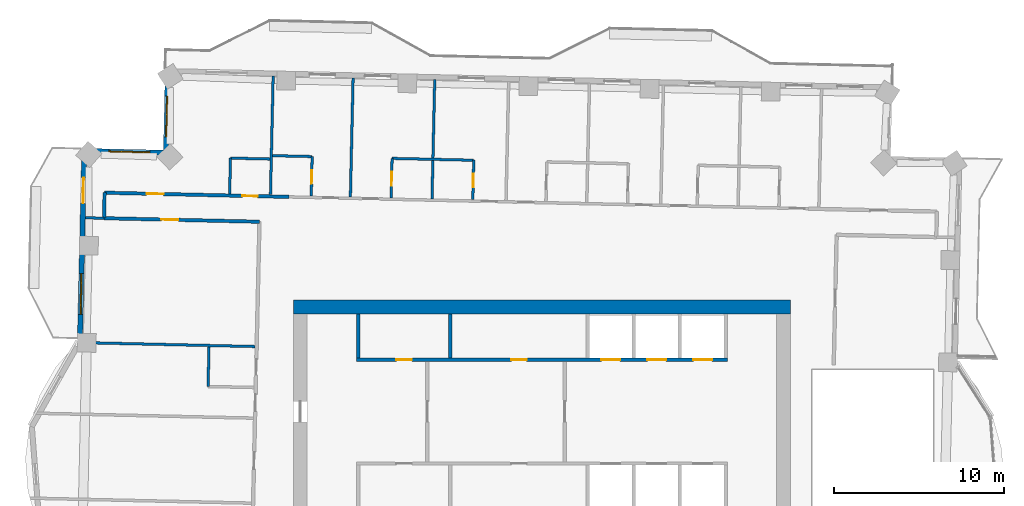
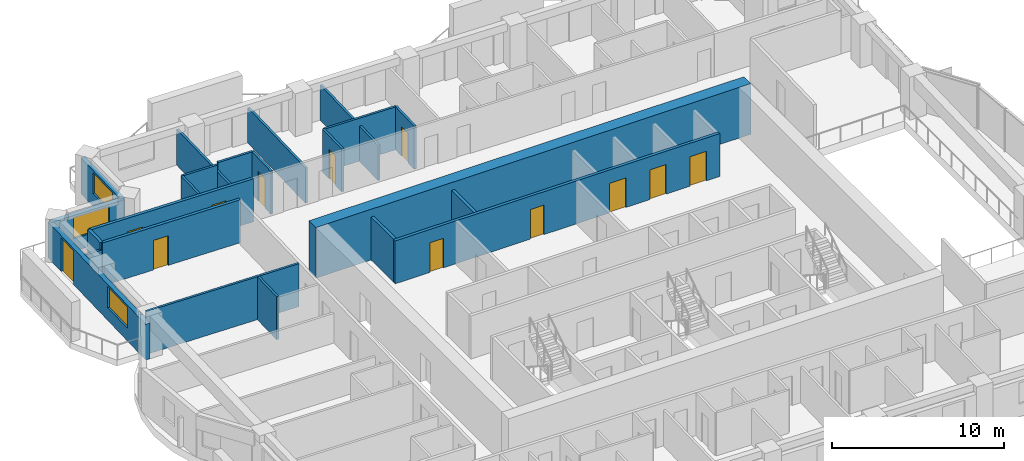
# One storey, part 10 of 16: 23 walls, 12 doors, 3 windows, 15 openings.
"""IFC4 building model written with IfcOpenShell, lengths in metres."""

from ifc_helpers import new_model, si_unit, direction, frame, frame_2d, origin, place, context, subcontext, project, spatial, rectangle, extrude, material, layer, layer_set, type_object, element, fill, save


model = new_model("IFC4")

# Units and contexts
model_context = context("Model", 3, precision=1e-05, world=origin(), true_north=direction((0.0, 1.0)))
body_context = subcontext(model_context, "Body", "Model", "MODEL_VIEW")
ifc_project = project(units=[si_unit("LENGTHUNIT", "METRE"), si_unit("AREAUNIT", "SQUARE_METRE"), si_unit("VOLUMEUNIT", "CUBIC_METRE"), si_unit("PLANEANGLEUNIT", "RADIAN"), si_unit("MASSUNIT", "GRAM", prefix="KILO")], contexts=[model_context])

# Site, building, storey
site_placement = place(None, origin())
site = spatial("IfcSite", under=ifc_project, at=site_placement, CompositionType="ELEMENT")
building_placement = place(site_placement, origin())
building = spatial("IfcBuilding", under=site, at=building_placement, Name="Mangrove Gate Tower", CompositionType="ELEMENT")
storey_placement = place(building_placement, frame((0.0, 0.0, 215.89990234375)))
storey = spatial("IfcBuildingStorey", under=building, at=storey_placement, Name="L55", CompositionType="ELEMENT", Elevation=215.89990234375)

# Walls
ifc_material_1 = material(Name="Concrete C32/40", Category="concrete")
ifc_layer_1 = layer(ifc_material_1, 0.199951171875)
ifc_layer_set_1 = layer_set([ifc_layer_1], Name="Core room wall 200 C32/40")
wall_type_1 = type_object("IfcWallType", Name="Core room wall 200 C32/40", PredefinedType="STANDARD", material=ifc_layer_set_1)
for number, where, z_axis, x_axis, name in (
    (1, (-10.800048828125, 8.199951171875, 0.0), (0.0, 0.0, 1.0), (0.0, 1.0, 0.0), "WALL-L55-CORE-25"),
    (2, (-5.39990234375, 8.199951171875, 0.0), (0.0, 0.0, 1.0), (0.0, 1.0, 0.0), "WALL-L55-CORE-26"),
):
    element("IfcWall", number, at=place(storey_placement, frame(where, z_axis=z_axis, x_axis=x_axis)), inside=storey, type_object=wall_type_1, Name=name, PredefinedType="STANDARD", context=body_context, shape_type="SweptSolid", body=[
        extrude(rectangle(XDim=2.60009765625, YDim=0.199951171875, at=frame_2d((1.300048828125, 0.0))), origin(), (0.0, 0.0, 1.0), 3.050048828125),
    ])

# Wall, openings, doors
ifc_material_2 = material(Name="Concrete C60/75", Category="concrete")
ifc_layer_2 = layer(ifc_material_2, 0.199951171875)
ifc_layer_set_2 = layer_set([ifc_layer_2], Name="Core shaft wall 200 C60/75")
wall_type_2 = type_object("IfcWallType", Name="Core shaft wall 200 C60/75", PredefinedType="SHEAR", material=ifc_layer_set_2)
wall_1_placement = place(storey_placement, frame((-10.89990234375, 8.10009765625, 0.0), z_axis=(0.0, 0.0, 1.0), x_axis=(1.0, 0.0, 0.0)))
wall_1 = element("IfcWall", 3, at=wall_1_placement, inside=storey, type_object=wall_type_2, Name="WALL-L55-CORE-8", PredefinedType="SHEAR", context=body_context, shape_type="SweptSolid", body=[
    extrude(rectangle(XDim=21.7998046875, YDim=0.199951171875, at=frame_2d((10.89990234375, 0.0))), origin(), (0.0, 0.0, 1.0), 3.050048828125),
])
opening_1_placement = place(wall_1_placement, frame((14.39990234375, 0.0, 0.0)))
opening_1 = element("IfcOpeningElement", 4, at=opening_1_placement, cuts=wall_1, Name="Opening LD", PredefinedType="OPENING", context=body_context, shape_type="SweptSolid", body=[
    extrude(rectangle(XDim=1.10009765625, YDim=2.10009765625, at=frame_2d((0.550048828125, 1.050048828125))), frame((0.0, 0.10986328125, 0.0), z_axis=(0.0, -1.0, 0.0), x_axis=(1.0, 0.0, 0.0)), (0.0, 0.0, 1.0), 0.219970703125),
])
opening_2_placement = place(wall_1_placement, frame((17.10009765625, 0.0, 0.0)))
opening_2 = element("IfcOpeningElement", 5, at=opening_2_placement, cuts=wall_1, Name="Opening LD", PredefinedType="OPENING", context=body_context, shape_type="SweptSolid", body=[
    extrude(rectangle(XDim=1.10009765625, YDim=2.10009765625, at=frame_2d((0.550048828125, 1.050048828125))), frame((0.0, 0.10986328125, 0.0), z_axis=(0.0, -1.0, 0.0), x_axis=(1.0, 0.0, 0.0)), (0.0, 0.0, 1.0), 0.219970703125),
])
opening_3_placement = place(wall_1_placement, frame((19.800048828125, 0.0, 0.0)))
opening_3 = element("IfcOpeningElement", 6, at=opening_3_placement, cuts=wall_1, Name="Opening LD", PredefinedType="OPENING", context=body_context, shape_type="SweptSolid", body=[
    extrude(rectangle(XDim=1.10009765625, YDim=2.10009765625, at=frame_2d((0.550048828125, 1.050048828125))), frame((0.0, 0.10986328125, 0.0), z_axis=(0.0, -1.0, 0.0), x_axis=(1.0, 0.0, 0.0)), (0.0, 0.0, 1.0), 0.219970703125),
])
opening_4_placement = place(wall_1_placement, frame((2.35009765625, 0.0, 0.0)))
opening_4 = element("IfcOpeningElement", 7, at=opening_4_placement, cuts=wall_1, Name="Opening KD", PredefinedType="OPENING", context=body_context, shape_type="SweptSolid", body=[
    extrude(rectangle(XDim=0.89990234375, YDim=2.10009765625, at=frame_2d((0.449951171875, 1.050048828125))), frame((0.0, 0.10986328125, 0.0), z_axis=(0.0, -1.0, 0.0), x_axis=(1.0, 0.0, 0.0)), (0.0, 0.0, 1.0), 0.219970703125),
])
opening_5_placement = place(wall_1_placement, frame((9.10009765625, 0.0, 0.0)))
opening_5 = element("IfcOpeningElement", 8, at=opening_5_placement, cuts=wall_1, Name="Opening KD", PredefinedType="OPENING", context=body_context, shape_type="SweptSolid", body=[
    extrude(rectangle(XDim=0.89990234375, YDim=2.10009765625, at=frame_2d((0.449951171875, 1.050048828125))), frame((0.0, 0.10986328125, 0.0), z_axis=(0.0, -1.0, 0.0), x_axis=(1.0, 0.0, 0.0)), (0.0, 0.0, 1.0), 0.219970703125),
])
ifc_material_3 = material(Name="Fire-rated steel door set", Category="steel")
door_type_1 = type_object("IfcDoorType", Name="Core room door FD30S 900x2100", OperationType="SINGLE_SWING_RIGHT", PredefinedType="DOOR", material=ifc_material_3)
door_1_placement = place(opening_4_placement, origin())
door_1 = element("IfcDoor", 9, at=door_1_placement, inside=storey, type_object=door_type_1, Name="Core room door Core WC", OperationType="SINGLE_SWING_RIGHT", OverallHeight=2.10009765625, OverallWidth=0.89990234375, PredefinedType="DOOR", context=body_context, shape_type="SweptSolid", body=[
    extrude(rectangle(XDim=0.89990234375, YDim=2.10009765625, at=frame_2d((0.449951171875, 1.050048828125))), frame((0.0, 0.02490234375, 0.0), z_axis=(0.0, -1.0, 0.0), x_axis=(1.0, 0.0, 0.0)), (0.0, 0.0, 1.0), 0.050048828125),
])
fill(opening_4, door_1)
door_2_placement = place(opening_5_placement, origin())
door_2 = element("IfcDoor", 10, at=door_2_placement, inside=storey, type_object=door_type_1, Name="Core room door Pantry store", OperationType="SINGLE_SWING_RIGHT", OverallHeight=2.10009765625, OverallWidth=0.89990234375, PredefinedType="DOOR", context=body_context, shape_type="SweptSolid", body=[
    extrude(rectangle(XDim=0.89990234375, YDim=2.10009765625, at=frame_2d((0.449951171875, 1.050048828125))), frame((0.0, 0.02490234375, 0.0), z_axis=(0.0, -1.0, 0.0), x_axis=(1.0, 0.0, 0.0)), (0.0, 0.0, 1.0), 0.050048828125),
])
fill(opening_5, door_2)
ifc_material_4 = material(Name="Stainless steel 316", Category="steel")
door_type_2 = type_object("IfcDoorType", Name="Lift landing door 1100x2100", OperationType="SLIDING_TO_LEFT", PredefinedType="DOOR", material=ifc_material_4)
door_3_placement = place(opening_1_placement, origin())
door_3 = element("IfcDoor", 11, at=door_3_placement, inside=storey, type_object=door_type_2, Name="Landing door LD M04", OperationType="SLIDING_TO_LEFT", OverallHeight=2.10009765625, OverallWidth=1.10009765625, PredefinedType="DOOR", context=body_context, shape_type="SweptSolid", body=[
    extrude(rectangle(XDim=1.10009765625, YDim=2.10009765625, at=frame_2d((0.550048828125, 1.050048828125))), frame((0.0, 0.02490234375, 0.0), z_axis=(0.0, -1.0, 0.0), x_axis=(1.0, 0.0, 0.0)), (0.0, 0.0, 1.0), 0.050048828125),
])
fill(opening_1, door_3)
door_4_placement = place(opening_2_placement, origin())
door_4 = element("IfcDoor", 12, at=door_4_placement, inside=storey, type_object=door_type_2, Name="Landing door LD M05", OperationType="SLIDING_TO_LEFT", OverallHeight=2.10009765625, OverallWidth=1.10009765625, PredefinedType="DOOR", context=body_context, shape_type="SweptSolid", body=[
    extrude(rectangle(XDim=1.10009765625, YDim=2.10009765625, at=frame_2d((0.550048828125, 1.050048828125))), frame((0.0, 0.02490234375, 0.0), z_axis=(0.0, -1.0, 0.0), x_axis=(1.0, 0.0, 0.0)), (0.0, 0.0, 1.0), 0.050048828125),
])
fill(opening_2, door_4)
door_5_placement = place(opening_3_placement, origin())
door_5 = element("IfcDoor", 13, at=door_5_placement, inside=storey, type_object=door_type_2, Name="Landing door LD M06", OperationType="SLIDING_TO_LEFT", OverallHeight=2.10009765625, OverallWidth=1.10009765625, PredefinedType="DOOR", context=body_context, shape_type="SweptSolid", body=[
    extrude(rectangle(XDim=1.10009765625, YDim=2.10009765625, at=frame_2d((0.550048828125, 1.050048828125))), frame((0.0, 0.02490234375, 0.0), z_axis=(0.0, -1.0, 0.0), x_axis=(1.0, 0.0, 0.0)), (0.0, 0.0, 1.0), 0.050048828125),
])
fill(opening_3, door_5)

# Wall
ifc_material_5 = material(Name="Concrete C60/75", Category="concrete")
ifc_layer_3 = layer(ifc_material_5, 0.800048828125)
ifc_layer_set_3 = layer_set([ifc_layer_3], Name="Core wall 800 C60/75")
wall_type_3 = type_object("IfcWallType", Name="Core wall 800 C60/75", PredefinedType="SHEAR", material=ifc_layer_set_3)
wall_2_placement = place(storey_placement, frame((-14.60009765625, 11.199951171875, 0.0), z_axis=(0.0, 0.0, 1.0), x_axis=(1.0, 0.0, 0.0)))
element("IfcWall", 14, at=wall_2_placement, inside=storey, type_object=wall_type_3, Name="WALL-L55-CORE-2", PredefinedType="SHEAR", context=body_context, shape_type="SweptSolid", body=[
    extrude(rectangle(XDim=29.2001953125, YDim=0.800048828125, at=frame_2d((14.60009765625, 0.0))), origin(), (0.0, 0.0, 1.0), 3.60009765625),
])

# Wall, opening, door
ifc_material_6 = material(Name="Gypsum board on steel stud, EI 60", Category="steel")
ifc_layer_4 = layer(ifc_material_6, 0.199951171875)
ifc_layer_set_4 = layer_set([ifc_layer_4], Name="Corridor wall EI 60")
wall_type_4 = type_object("IfcWallType", Name="Corridor wall EI 60", PredefinedType="PARTITIONING", material=ifc_layer_set_4)
wall_3_placement = place(storey_placement, frame((-25.742919921875, 16.422119140625, 0.0), z_axis=(0.0, 0.0, 1.0), x_axis=(0.999741076645, -0.022754772455, 0.0)))
wall_3 = element("IfcWall", 15, at=wall_3_placement, inside=storey, type_object=wall_type_4, Name="WALL-L55-046", PredefinedType="PARTITIONING", context=body_context, shape_type="SweptSolid", body=[
    extrude(rectangle(XDim=9.141357421875, YDim=0.199951171875, at=frame_2d((4.57080078125, 0.0))), origin(), (0.0, 0.0, 1.0), 3.050048828125),
])
opening_6_placement = place(wall_3_placement, frame((3.37109375, 0.0, 0.0)))
opening_6 = element("IfcOpeningElement", 16, at=opening_6_placement, cuts=wall_3, Name="Opening AD", PredefinedType="OPENING", context=body_context, shape_type="SweptSolid", body=[
    extrude(rectangle(XDim=1.0, YDim=2.10009765625, at=frame_2d((0.5, 1.050048828125))), frame((0.0, 0.10986328125, 0.0), z_axis=(0.0, -1.0, 0.0), x_axis=(1.0, 0.0, 0.0)), (0.0, 0.0, 1.0), 0.219970703125),
])
ifc_material_7 = material(Name="Timber door leaf", Category="wood")
door_type_3 = type_object("IfcDoorType", Name="Amenity door 1000", OperationType="SINGLE_SWING_LEFT", PredefinedType="DOOR", material=ifc_material_7)
door_6_placement = place(opening_6_placement, origin())
door_6 = element("IfcDoor", 17, at=door_6_placement, inside=storey, type_object=door_type_3, Name="DOOR-L55-LNG-c5b", OperationType="SINGLE_SWING_LEFT", OverallHeight=2.10009765625, OverallWidth=1.0, PredefinedType="DOOR", context=body_context, shape_type="SweptSolid", body=[
    extrude(rectangle(XDim=1.0, YDim=2.10009765625, at=frame_2d((0.5, 1.050048828125))), frame((0.0, 0.02490234375, 0.0), z_axis=(0.0, -1.0, 0.0), x_axis=(1.0, 0.0, 0.0)), (0.0, 0.0, 1.0), 0.050048828125),
])
fill(opening_6, door_6)

# Wall
wall_4_placement = place(storey_placement, frame((-25.740966796875, 16.425048828125, 0.0), z_axis=(0.0, 0.0, 1.0), x_axis=(0.022617910375, 0.999744182344, 0.0)))
element("IfcWall", 18, at=wall_4_placement, inside=storey, type_object=wall_type_4, Name="WALL-L55-049", PredefinedType="PARTITIONING", context=body_context, shape_type="SweptSolid", body=[
    extrude(rectangle(XDim=1.50048828125, YDim=0.199951171875, at=frame_2d((0.750244140625, 0.0))), origin(), (0.0, 0.0, 1.0), 3.050048828125),
])

# Wall, openings, doors
wall_5_placement = place(storey_placement, frame((-25.708984375, 17.9208984375, 0.0), z_axis=(0.0, 0.0, 1.0), x_axis=(0.999742764922, -0.022680475901, 0.0)))
wall_5 = element("IfcWall", 19, at=wall_5_placement, inside=storey, type_object=wall_type_4, Name="WALL-L55-051", PredefinedType="PARTITIONING", context=body_context, shape_type="SweptSolid", body=[
    extrude(rectangle(XDim=10.839599609375, YDim=0.199951171875, at=frame_2d((5.419921875, 0.0))), origin(), (0.0, 0.0, 1.0), 3.050048828125),
])
opening_7_placement = place(wall_5_placement, frame((2.47509765625, 0.0, 0.0)))
opening_7 = element("IfcOpeningElement", 20, at=opening_7_placement, cuts=wall_5, Name="Opening AD", PredefinedType="OPENING", context=body_context, shape_type="SweptSolid", body=[
    extrude(rectangle(XDim=1.0, YDim=2.10009765625, at=frame_2d((0.5, 1.050048828125))), frame((0.0, 0.10986328125, 0.0), z_axis=(0.0, -1.0, 0.0), x_axis=(1.0, 0.0, 0.0)), (0.0, 0.0, 1.0), 0.219970703125),
])
opening_8_placement = place(wall_5_placement, frame((8.10009765625, 0.0, 0.0)))
opening_8 = element("IfcOpeningElement", 21, at=opening_8_placement, cuts=wall_5, Name="Opening SD", PredefinedType="OPENING", context=body_context, shape_type="SweptSolid", body=[
    extrude(rectangle(XDim=0.89990234375, YDim=2.10009765625, at=frame_2d((0.449951171875, 1.050048828125))), frame((0.0, 0.10986328125, 0.0), z_axis=(0.0, -1.0, 0.0), x_axis=(1.0, 0.0, 0.0)), (0.0, 0.0, 1.0), 0.219970703125),
])
door_7_placement = place(opening_7_placement, origin())
door_7 = element("IfcDoor", 22, at=door_7_placement, inside=storey, type_object=door_type_3, Name="DOOR-L55-LNG-c5a", OperationType="SINGLE_SWING_RIGHT", OverallHeight=2.10009765625, OverallWidth=1.0, PredefinedType="DOOR", context=body_context, shape_type="SweptSolid", body=[
    extrude(rectangle(XDim=1.0, YDim=2.10009765625, at=frame_2d((0.5, 1.050048828125))), frame((0.0, 0.02490234375, 0.0), z_axis=(0.0, -1.0, 0.0), x_axis=(1.0, 0.0, 0.0)), (0.0, 0.0, 1.0), 0.050048828125),
])
fill(opening_7, door_7)
ifc_material_8 = material(Name="Timber door leaf", Category="wood")
door_type_4 = type_object("IfcDoorType", Name="Service room door 900", OperationType="SINGLE_SWING_LEFT", PredefinedType="DOOR", material=ifc_material_8)
door_8_placement = place(opening_8_placement, origin())
door_8 = element("IfcDoor", 23, at=door_8_placement, inside=storey, type_object=door_type_4, Name="DOOR-L55-LIN-c5a", OperationType="SINGLE_SWING_LEFT", OverallHeight=2.10009765625, OverallWidth=0.89990234375, PredefinedType="DOOR", context=body_context, shape_type="SweptSolid", body=[
    extrude(rectangle(XDim=0.89990234375, YDim=2.10009765625, at=frame_2d((0.449951171875, 1.050048828125))), frame((0.0, 0.02490234375, 0.0), z_axis=(0.0, -1.0, 0.0), x_axis=(1.0, 0.0, 0.0)), (0.0, 0.0, 1.0), 0.050048828125),
])
fill(opening_8, door_8)

# Wall, opening, window
ifc_material_9 = material(Name="Limestone", Category="masonry")
ifc_layer_5 = layer(ifc_material_9, 0.0400390625, Name="Limestone cladding")
ifc_material_10 = material(Name="Ventilated air gap")
ifc_layer_6 = layer(ifc_material_10, 0.0400390625, Name="Ventilated cavity")
ifc_material_11 = material(Name="Mineral wool insulation")
ifc_layer_7 = layer(ifc_material_11, 0.06005859375, Name="Insulation")
ifc_material_12 = material(Name="Breather membrane")
ifc_layer_8 = layer(ifc_material_12, 0.001953125, Name="Breather membrane")
ifc_material_13 = material(Name="Concrete C20/25 blockwork", Category="masonry")
ifc_layer_9 = layer(ifc_material_13, 0.14990234375, Name="Blockwork backing wall")
ifc_material_14 = material(Name="Gypsum plaster")
ifc_layer_10 = layer(ifc_material_14, 0.008056640625, Name="Internal plaster")
ifc_layer_set_5 = layer_set([ifc_layer_5, ifc_layer_6, ifc_layer_7, ifc_layer_8, ifc_layer_9, ifc_layer_10], Name="External wall 300 limestone cladding")
wall_type_5 = type_object("IfcWallType", Name="External wall 300 limestone cladding", PredefinedType="SOLIDWALL", material=ifc_layer_set_5)
wall_6_placement = place(storey_placement, frame((-21.99609375, 25.069091796875, 0.0), z_axis=(0.0, 0.0, 1.0), x_axis=(-0.022683280499, -0.999742701292, 0.0)))
wall_6 = element("IfcWall", 24, at=wall_6_placement, inside=storey, type_object=wall_type_5, Name="WALL-L55-W6", PredefinedType="SOLIDWALL", context=body_context, shape_type="SweptSolid", body=[
    extrude(rectangle(XDim=4.80029296875, YDim=0.300048828125, at=frame_2d((2.400146484375, 0.0))), origin(), (0.0, 0.0, 1.0), 2.550048828125),
])
opening_9_placement = place(wall_6_placement, frame((1.466064453125, 0.0, 0.89990234375)))
opening_9 = element("IfcOpeningElement", 25, at=opening_9_placement, cuts=wall_6, Name="Opening W2", PredefinedType="OPENING", context=body_context, shape_type="SweptSolid", body=[
    extrude(rectangle(XDim=2.39990234375, YDim=1.5, at=frame_2d((1.199951171875, 0.75))), frame((0.0, 0.159912109375, 0.0), z_axis=(0.0, -1.0, 0.0), x_axis=(1.0, 0.0, 0.0)), (0.0, 0.0, 1.0), 0.320068359375),
])
ifc_material_15 = material(Name="Aluminium frame with double-glazed low-e glass", Category="aluminium")
window_type = type_object("IfcWindowType", Name="Corner room window 2400x1500", PartitioningType="DOUBLE_PANEL_VERTICAL", PredefinedType="WINDOW", material=ifc_material_15)
window_1_placement = place(opening_9_placement, origin())
window_1 = element("IfcWindow", 26, at=window_1_placement, inside=storey, type_object=window_type, Name="WIN-L55-W6-1", OverallHeight=1.5, OverallWidth=2.39990234375, PartitioningType="DOUBLE_PANEL_VERTICAL", PredefinedType="WINDOW", context=body_context, shape_type="SweptSolid", body=[
    extrude(rectangle(XDim=2.39990234375, YDim=1.5, at=frame_2d((1.199951171875, 0.75))), frame((0.0, 0.030029296875, 0.0), z_axis=(0.0, -1.0, 0.0), x_axis=(1.0, 0.0, 0.0)), (0.0, 0.0, 1.0), 0.06005859375),
])
fill(opening_9, window_1)

wall_7_placement = place(storey_placement, frame((-22.10498046875, 20.27001953125, 0.0), z_axis=(0.0, 0.0, 1.0), x_axis=(-0.999742701292, 0.022683280499, 0.0)))
wall_7 = element("IfcWall", 27, at=wall_7_placement, inside=storey, type_object=wall_type_5, Name="WALL-L55-N7", PredefinedType="SOLIDWALL", context=body_context, shape_type="SweptSolid", body=[
    extrude(rectangle(XDim=4.80029296875, YDim=0.300048828125, at=frame_2d((2.400146484375, 0.0))), origin(), (0.0, 0.0, 1.0), 2.550048828125),
])
opening_10_placement = place(wall_7_placement, frame((0.946044921875, 0.0, 0.89990234375)))
opening_10 = element("IfcOpeningElement", 28, at=opening_10_placement, cuts=wall_7, Name="Opening W2", PredefinedType="OPENING", context=body_context, shape_type="SweptSolid", body=[
    extrude(rectangle(XDim=2.39990234375, YDim=1.5, at=frame_2d((1.199951171875, 0.75))), frame((0.0, 0.159912109375, 0.0), z_axis=(0.0, -1.0, 0.0), x_axis=(1.0, 0.0, 0.0)), (0.0, 0.0, 1.0), 0.320068359375),
])
window_2_placement = place(opening_10_placement, origin())
window_2 = element("IfcWindow", 29, at=window_2_placement, inside=storey, type_object=window_type, Name="WIN-L55-N7-1", OverallHeight=1.5, OverallWidth=2.39990234375, PartitioningType="DOUBLE_PANEL_VERTICAL", PredefinedType="WINDOW", context=body_context, shape_type="SweptSolid", body=[
    extrude(rectangle(XDim=2.39990234375, YDim=1.5, at=frame_2d((1.199951171875, 0.75))), frame((0.0, 0.030029296875, 0.0), z_axis=(0.0, -1.0, 0.0), x_axis=(1.0, 0.0, 0.0)), (0.0, 0.0, 1.0), 0.06005859375),
])
fill(opening_10, window_2)

# Wall, openings, door, window
wall_8_placement = place(storey_placement, frame((-26.904052734375, 20.37890625, 0.0), z_axis=(0.0, 0.0, 1.0), x_axis=(-0.022671687694, -0.999742964255, 0.0)))
wall_8 = element("IfcWall", 30, at=wall_8_placement, inside=storey, type_object=wall_type_5, Name="WALL-L55-W8s1", PredefinedType="SOLIDWALL", context=body_context, shape_type="SweptSolid", body=[
    extrude(rectangle(XDim=11.82373046875, YDim=0.300048828125, at=frame_2d((5.911865234375, 0.0))), origin(), (0.0, 0.0, 1.0), 2.550048828125),
])
opening_11_placement = place(wall_8_placement, frame((1.577880859375, 0.0, 0.0)))
opening_11 = element("IfcOpeningElement", 31, at=opening_11_placement, cuts=wall_8, Name="Opening BD1", PredefinedType="OPENING", context=body_context, shape_type="SweptSolid", body=[
    extrude(rectangle(XDim=1.5, YDim=2.39990234375, at=frame_2d((0.75, 1.199951171875))), frame((0.0, 0.159912109375, 0.0), z_axis=(0.0, -1.0, 0.0), x_axis=(1.0, 0.0, 0.0)), (0.0, 0.0, 1.0), 0.320068359375),
])
opening_12_placement = place(wall_8_placement, frame((7.218017578125, 0.0, 0.89990234375)))
opening_12 = element("IfcOpeningElement", 32, at=opening_12_placement, cuts=wall_8, Name="Opening W2", PredefinedType="OPENING", context=body_context, shape_type="SweptSolid", body=[
    extrude(rectangle(XDim=2.39990234375, YDim=1.5, at=frame_2d((1.199951171875, 0.75))), frame((0.0, 0.159912109375, 0.0), z_axis=(0.0, -1.0, 0.0), x_axis=(1.0, 0.0, 0.0)), (0.0, 0.0, 1.0), 0.320068359375),
])
ifc_material_16 = material(Name="Aluminium frame with laminated clear glass", Category="aluminium")
door_type_5 = type_object("IfcDoorType", Name="Balcony sliding door 1500x2400", OperationType="SLIDING_TO_LEFT", PredefinedType="DOOR", material=ifc_material_16)
door_9_placement = place(opening_11_placement, origin())
door_9 = element("IfcDoor", 33, at=door_9_placement, inside=storey, type_object=door_type_5, Name="DOOR-L55-W8-1", OperationType="SLIDING_TO_LEFT", OverallHeight=2.39990234375, OverallWidth=1.5, PredefinedType="DOOR", context=body_context, shape_type="SweptSolid", body=[
    extrude(rectangle(XDim=1.5, YDim=2.39990234375, at=frame_2d((0.75, 1.199951171875))), frame((0.0, 0.02490234375, 0.0), z_axis=(0.0, -1.0, 0.0), x_axis=(1.0, 0.0, 0.0)), (0.0, 0.0, 1.0), 0.050048828125),
])
fill(opening_11, door_9)
window_3_placement = place(opening_12_placement, origin())
window_3 = element("IfcWindow", 34, at=window_3_placement, inside=storey, type_object=window_type, Name="WIN-L55-W8-2", OverallHeight=1.5, OverallWidth=2.39990234375, PartitioningType="DOUBLE_PANEL_VERTICAL", PredefinedType="WINDOW", context=body_context, shape_type="SweptSolid", body=[
    extrude(rectangle(XDim=2.39990234375, YDim=1.5, at=frame_2d((1.199951171875, 0.75))), frame((0.0, 0.030029296875, 0.0), z_axis=(0.0, -1.0, 0.0), x_axis=(1.0, 0.0, 0.0)), (0.0, 0.0, 1.0), 0.06005859375),
])
fill(opening_12, window_3)

# Walls
ifc_material_17 = material(Name="Gypsum board on steel stud, EI 60", Category="steel")
ifc_layer_11 = layer(ifc_material_17, 0.14990234375)
ifc_layer_set_6 = layer_set([ifc_layer_11], Name="Party wall 150 EI 60")
wall_type_6 = type_object("IfcWallType", Name="Party wall 150 EI 60", PredefinedType="PARTITIONING", material=ifc_layer_set_6)
wall_9_placement = place(storey_placement, frame((-19.6240234375, 6.534912109375, 0.0), z_axis=(0.0, 0.0, 1.0), x_axis=(0.022778632478, 0.99974053329, 0.0)))
element("IfcWall", 35, at=wall_9_placement, inside=storey, type_object=wall_type_6, Name="WALL-L55-042", PredefinedType="PARTITIONING", context=body_context, shape_type="SweptSolid", body=[
    extrude(rectangle(XDim=2.32568359375, YDim=0.14990234375, at=frame_2d((1.162841796875, 0.0))), origin(), (0.0, 0.0, 1.0), 3.050048828125),
])
wall_10_placement = place(storey_placement, frame((-27.010009765625, 9.10791015625, 0.0), z_axis=(0.0, 0.0, 1.0), x_axis=(0.999742841246, -0.022677111331, 0.0)))
element("IfcWall", 36, at=wall_10_placement, inside=storey, type_object=wall_type_6, Name="WALL-L55-044", PredefinedType="PARTITIONING", context=body_context, shape_type="SweptSolid", body=[
    extrude(rectangle(XDim=10.1416015625, YDim=0.14990234375, at=frame_2d((5.07080078125, 0.0))), origin(), (0.0, 0.0, 1.0), 3.050048828125),
])
wall_11_placement = place(storey_placement, frame((-26.843017578125, 16.447021484375, 0.0), z_axis=(0.0, 0.0, 1.0), x_axis=(0.999720170098, -0.023655475055, 0.0)))
element("IfcWall", 37, at=wall_11_placement, inside=storey, type_object=wall_type_6, Name="WALL-L55-045", PredefinedType="PARTITIONING", context=body_context, shape_type="SweptSolid", body=[
    extrude(rectangle(XDim=1.104248046875, YDim=0.14990234375, at=frame_2d((0.55224609375, 0.0))), origin(), (0.0, 0.0, 1.0), 2.550048828125),
])
wall_12_placement = place(storey_placement, frame((-18.35693359375, 17.85791015625, 0.0), z_axis=(0.0, 0.0, 1.0), x_axis=(0.022779486249, 0.999740513837, 0.0)))
element("IfcWall", 38, at=wall_12_placement, inside=storey, type_object=wall_type_6, Name="WALL-L55-054", PredefinedType="PARTITIONING", context=body_context, shape_type="SweptSolid", body=[
    extrude(rectangle(XDim=2.1005859375, YDim=0.14990234375, at=frame_2d((1.05029296875, 0.0))), origin(), (0.0, 0.0, 1.0), 3.050048828125),
])
wall_13_placement = place(storey_placement, frame((-15.95703125, 17.803955078125, 0.0), z_axis=(0.0, 0.0, 1.0), x_axis=(0.022643496158, 0.999743603171, 0.0)))
element("IfcWall", 39, at=wall_13_placement, inside=storey, type_object=wall_type_6, Name="WALL-L55-055", PredefinedType="PARTITIONING", context=body_context, shape_type="SweptSolid", body=[
    extrude(rectangle(XDim=6.975830078125, YDim=0.14990234375, at=frame_2d((3.48779296875, 0.0))), origin(), (0.0, 0.0, 1.0), 2.550048828125),
])

# Wall, opening, door
wall_14_placement = place(storey_placement, frame((-13.55810546875, 17.72412109375, 0.0), z_axis=(0.0, 0.0, 1.0), x_axis=(0.022361308448, 0.999749954681, 0.0)))
wall_14 = element("IfcWall", 40, at=wall_14_placement, inside=storey, type_object=wall_type_6, Name="WALL-L55-056", PredefinedType="PARTITIONING", context=body_context, shape_type="SweptSolid", body=[
    extrude(rectangle(XDim=2.325439453125, YDim=0.14990234375, at=frame_2d((1.16259765625, 0.0))), origin(), (0.0, 0.0, 1.0), 3.050048828125),
])
opening_13_placement = place(wall_14_placement, frame((0.72509765625, 0.0, 0.0)))
opening_13 = element("IfcOpeningElement", 41, at=opening_13_placement, cuts=wall_14, Name="Opening ED", PredefinedType="OPENING", context=body_context, shape_type="SweptSolid", body=[
    extrude(rectangle(XDim=0.800048828125, YDim=2.10009765625, at=frame_2d((0.39990234375, 1.050048828125))), frame((0.0, 0.0849609375, 0.0), z_axis=(0.0, -1.0, 0.0), x_axis=(1.0, 0.0, 0.0)), (0.0, 0.0, 1.0), 0.169921875),
])
ifc_material_18 = material(Name="Timber door leaf", Category="wood")
door_type_6 = type_object("IfcDoorType", Name="En-suite door 800", OperationType="SINGLE_SWING_LEFT", PredefinedType="DOOR", material=ifc_material_18)
door_10_placement = place(opening_13_placement, origin())
door_10 = element("IfcDoor", 42, at=door_10_placement, inside=storey, type_object=door_type_6, Name="DOOR-L55-ENS-c514", OperationType="SINGLE_SWING_RIGHT", OverallHeight=2.10009765625, OverallWidth=0.800048828125, PredefinedType="DOOR", context=body_context, shape_type="SweptSolid", body=[
    extrude(rectangle(XDim=0.800048828125, YDim=2.10009765625, at=frame_2d((0.39990234375, 1.050048828125))), frame((0.0, 0.02490234375, 0.0), z_axis=(0.0, -1.0, 0.0), x_axis=(1.0, 0.0, 0.0)), (0.0, 0.0, 1.0), 0.050048828125),
])
fill(opening_13, door_10)

# Wall
wall_15_placement = place(storey_placement, frame((-11.259033203125, 17.672119140625, 0.0), z_axis=(0.0, 0.0, 1.0), x_axis=(0.022699227919, 0.999742339331, 0.0)))
element("IfcWall", 43, at=wall_15_placement, inside=storey, type_object=wall_type_6, Name="WALL-L55-057", PredefinedType="PARTITIONING", context=body_context, shape_type="SweptSolid", body=[
    extrude(rectangle(XDim=7.001708984375, YDim=0.14990234375, at=frame_2d((3.5009765625, 0.0))), origin(), (0.0, 0.0, 1.0), 2.5),
])

# Wall, opening, door
wall_16_placement = place(storey_placement, frame((-8.860107421875, 17.617919921875, 0.0), z_axis=(0.0, 0.0, 1.0), x_axis=(0.022895561926, 0.999737862264, 0.0)))
wall_16 = element("IfcWall", 44, at=wall_16_placement, inside=storey, type_object=wall_type_6, Name="WALL-L55-058", PredefinedType="PARTITIONING", context=body_context, shape_type="SweptSolid", body=[
    extrude(rectangle(XDim=2.324462890625, YDim=0.14990234375, at=frame_2d((1.162109375, 0.0))), origin(), (0.0, 0.0, 1.0), 3.050048828125),
])
opening_14_placement = place(wall_16_placement, frame((0.72509765625, 0.0, 0.0)))
opening_14 = element("IfcOpeningElement", 45, at=opening_14_placement, cuts=wall_16, Name="Opening ED", PredefinedType="OPENING", context=body_context, shape_type="SweptSolid", body=[
    extrude(rectangle(XDim=0.800048828125, YDim=2.10009765625, at=frame_2d((0.39990234375, 1.050048828125))), frame((0.0, 0.0849609375, 0.0), z_axis=(0.0, -1.0, 0.0), x_axis=(1.0, 0.0, 0.0)), (0.0, 0.0, 1.0), 0.169921875),
])
door_11_placement = place(opening_14_placement, origin())
door_11 = element("IfcDoor", 46, at=door_11_placement, inside=storey, type_object=door_type_6, Name="DOOR-L55-ENS-c513", OperationType="SINGLE_SWING_LEFT", OverallHeight=2.10009765625, OverallWidth=0.800048828125, PredefinedType="DOOR", context=body_context, shape_type="SweptSolid", body=[
    extrude(rectangle(XDim=0.800048828125, YDim=2.10009765625, at=frame_2d((0.39990234375, 1.050048828125))), frame((0.0, 0.02490234375, 0.0), z_axis=(0.0, -1.0, 0.0), x_axis=(1.0, 0.0, 0.0)), (0.0, 0.0, 1.0), 0.050048828125),
])
fill(opening_14, door_11)

# Wall
wall_17_placement = place(storey_placement, frame((-6.4599609375, 17.56298828125, 0.0), z_axis=(0.0, 0.0, 1.0), x_axis=(0.022699227919, 0.999742339331, 0.0)))
element("IfcWall", 47, at=wall_17_placement, inside=storey, type_object=wall_type_6, Name="WALL-L55-059", PredefinedType="PARTITIONING", context=body_context, shape_type="SweptSolid", body=[
    extrude(rectangle(XDim=7.001708984375, YDim=0.14990234375, at=frame_2d((3.5009765625, 0.0))), origin(), (0.0, 0.0, 1.0), 2.5),
])

# Wall, opening, door
wall_18_placement = place(storey_placement, frame((-4.06103515625, 17.509033203125, 0.0), z_axis=(0.0, 0.0, 1.0), x_axis=(0.02279059109, 0.999740260747, 0.0)))
wall_18 = element("IfcWall", 48, at=wall_18_placement, inside=storey, type_object=wall_type_6, Name="WALL-L55-060", PredefinedType="PARTITIONING", context=body_context, shape_type="SweptSolid", body=[
    extrude(rectangle(XDim=2.324462890625, YDim=0.14990234375, at=frame_2d((1.162109375, 0.0))), origin(), (0.0, 0.0, 1.0), 3.050048828125),
])
opening_15_placement = place(wall_18_placement, frame((0.72509765625, 0.0, 0.0)))
opening_15 = element("IfcOpeningElement", 49, at=opening_15_placement, cuts=wall_18, Name="Opening ED", PredefinedType="OPENING", context=body_context, shape_type="SweptSolid", body=[
    extrude(rectangle(XDim=0.800048828125, YDim=2.10009765625, at=frame_2d((0.39990234375, 1.050048828125))), frame((0.0, 0.0849609375, 0.0), z_axis=(0.0, -1.0, 0.0), x_axis=(1.0, 0.0, 0.0)), (0.0, 0.0, 1.0), 0.169921875),
])
door_12_placement = place(opening_15_placement, origin())
door_12 = element("IfcDoor", 50, at=door_12_placement, inside=storey, type_object=door_type_6, Name="DOOR-L55-ENS-c412", OperationType="SINGLE_SWING_RIGHT", OverallHeight=2.10009765625, OverallWidth=0.800048828125, PredefinedType="DOOR", context=body_context, shape_type="SweptSolid", body=[
    extrude(rectangle(XDim=0.800048828125, YDim=2.10009765625, at=frame_2d((0.39990234375, 1.050048828125))), frame((0.0, 0.02490234375, 0.0), z_axis=(0.0, -1.0, 0.0), x_axis=(1.0, 0.0, 0.0)), (0.0, 0.0, 1.0), 0.050048828125),
])
fill(opening_15, door_12)

# Walls
for number, where, z_axis, x_axis, name in (
    (51, (-18.31103515625, 19.9541015625, 0.0), (0.0, 0.0, 1.0), (0.999737862264, -0.022895561926, 0.0), "WALL-L55-070"),
    (52, (-15.83203125, 20.097900390625, 0.0), (0.0, 0.0, 1.0), (0.999740260747, -0.02279059109, 0.0), "WALL-L55-071"),
):
    element("IfcWall", number, at=place(storey_placement, frame(where, z_axis=z_axis, x_axis=x_axis)), inside=storey, type_object=wall_type_6, Name=name, PredefinedType="PARTITIONING", context=body_context, shape_type="SweptSolid", body=[
        extrude(rectangle(XDim=2.324462890625, YDim=0.14990234375, at=frame_2d((1.162109375, 0.0))), origin(), (0.0, 0.0, 1.0), 3.050048828125),
    ])
wall_19_placement = place(storey_placement, frame((-8.80908203125, 19.93798828125, 0.0), z_axis=(0.0, 0.0, 1.0), x_axis=(0.999742701292, -0.022683280499, 0.0)))
element("IfcWall", 53, at=wall_19_placement, inside=storey, type_object=wall_type_6, Name="WALL-L55-072", PredefinedType="PARTITIONING", context=body_context, shape_type="SweptSolid", body=[
    extrude(rectangle(XDim=4.80029296875, YDim=0.14990234375, at=frame_2d((2.400146484375, 0.0))), origin(), (0.0, 0.0, 1.0), 3.050048828125),
])

save(model, "model.ifc")
